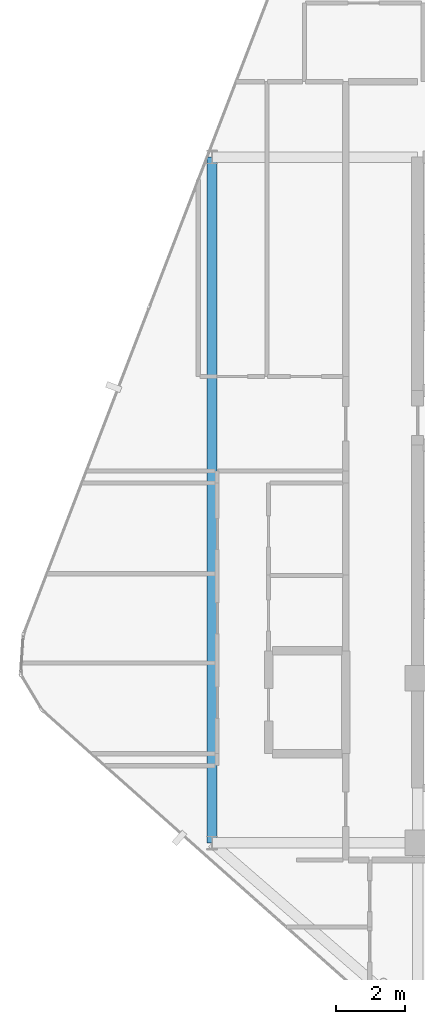
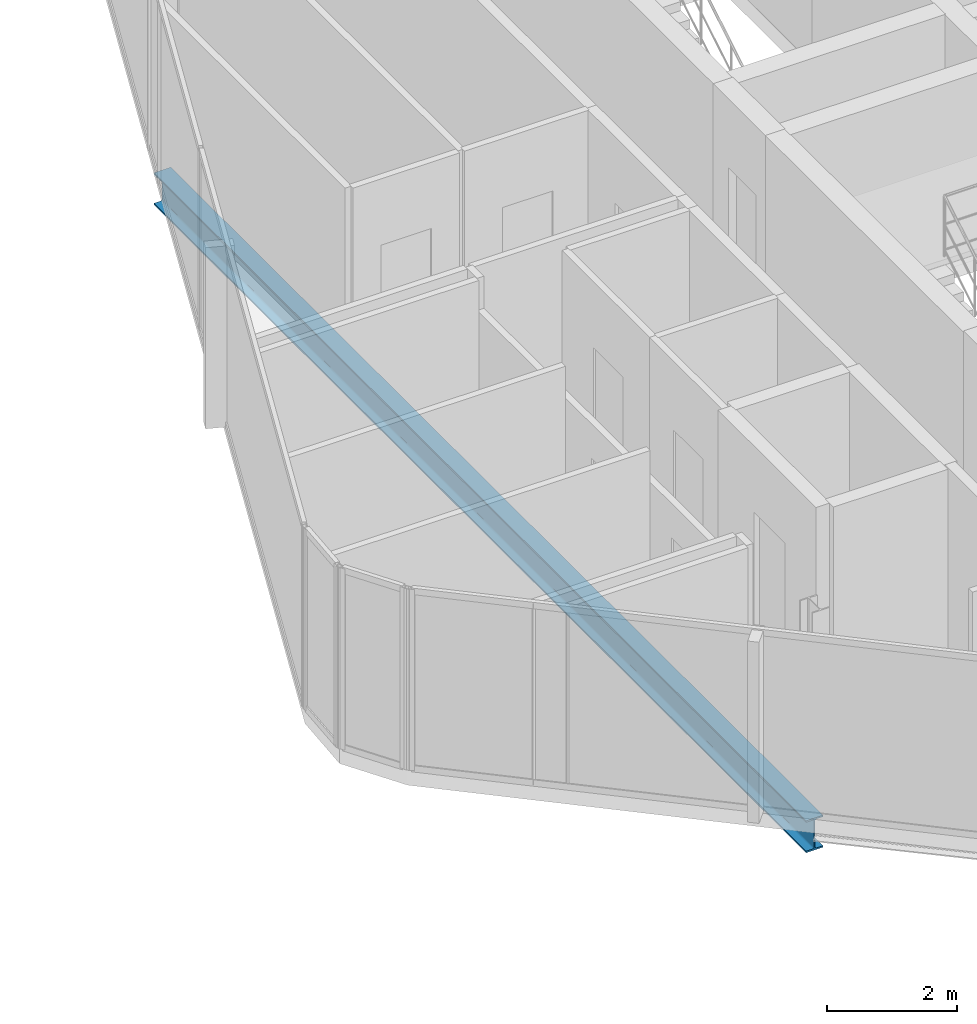
# One storey, part 9 of 28: 1 beam.
"""IFC4 building model written with IfcOpenShell, lengths in metres."""

from ifc_helpers import new_model, si_unit, direction, frame, origin, origin_2d, place, context, subcontext, project, spatial, i_section, extrude, material, material_profile, profile_set, type_object, element, save


model = new_model("IFC4")

# Units and contexts
model_context = context("Model", 3, precision=1e-05, world=origin(), true_north=direction((0.0, 1.0)))
body_context = subcontext(model_context, "Body", "Model", "MODEL_VIEW")
ifc_project = project(units=[si_unit("LENGTHUNIT", "METRE"), si_unit("AREAUNIT", "SQUARE_METRE"), si_unit("VOLUMEUNIT", "CUBIC_METRE"), si_unit("PLANEANGLEUNIT", "RADIAN"), si_unit("MASSUNIT", "GRAM", prefix="KILO")], contexts=[model_context])

# Site, building, storey
site_placement = place(None, origin())
site = spatial("IfcSite", under=ifc_project, at=site_placement, CompositionType="ELEMENT")
building_placement = place(site_placement, origin())
building = spatial("IfcBuilding", under=site, at=building_placement, Name="Keshet Zoharim Tower", CompositionType="ELEMENT")
storey_placement = place(building_placement, frame((0.0, 0.0, 251.0)))
storey = spatial("IfcBuildingStorey", under=building, at=storey_placement, Name="L62", CompositionType="ELEMENT", Elevation=251.0)

# Beam
ifc_material = material(Name="Steel S355", Category="steel")
ifc_material_profile = material_profile(ifc_material, i_section(OverallWidth=0.300048828125, OverallDepth=0.60009765625, WebThickness=0.015380859375, FlangeThickness=0.030029296875, FilletRadius=0.027099609375, at=origin_2d()), Name="HEB600")
ifc_profile_set = profile_set([ifc_material_profile], Name="Steel S355")
beam_type = type_object("IfcBeamType", Name="BM-LNG-HB600", PredefinedType="BEAM", material=ifc_profile_set)
beam_placement = place(storey_placement, frame((9.0, 17.89990234375, -0.610107421875), z_axis=(0.0, 1.0, 0.0), x_axis=(-1.0, 0.0, 0.0)))
element("IfcBeam", 1, at=beam_placement, inside=storey, type_object=beam_type, Name="L62 Primary Girder Y-001", PredefinedType="BEAM", context=body_context, shape_type="SweptSolid", body=[
    extrude(i_section(OverallWidth=0.300048828125, OverallDepth=0.60009765625, WebThickness=0.015380859375, FlangeThickness=0.030029296875, FilletRadius=0.027099609375, at=origin_2d()), origin(), (0.0, 0.0, 1.0), 20.0),
])

save(model, "model.ifc")
